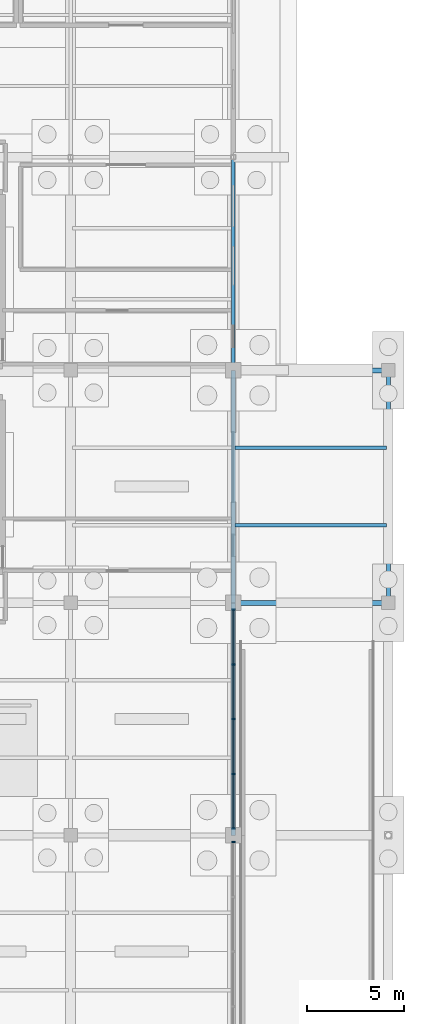
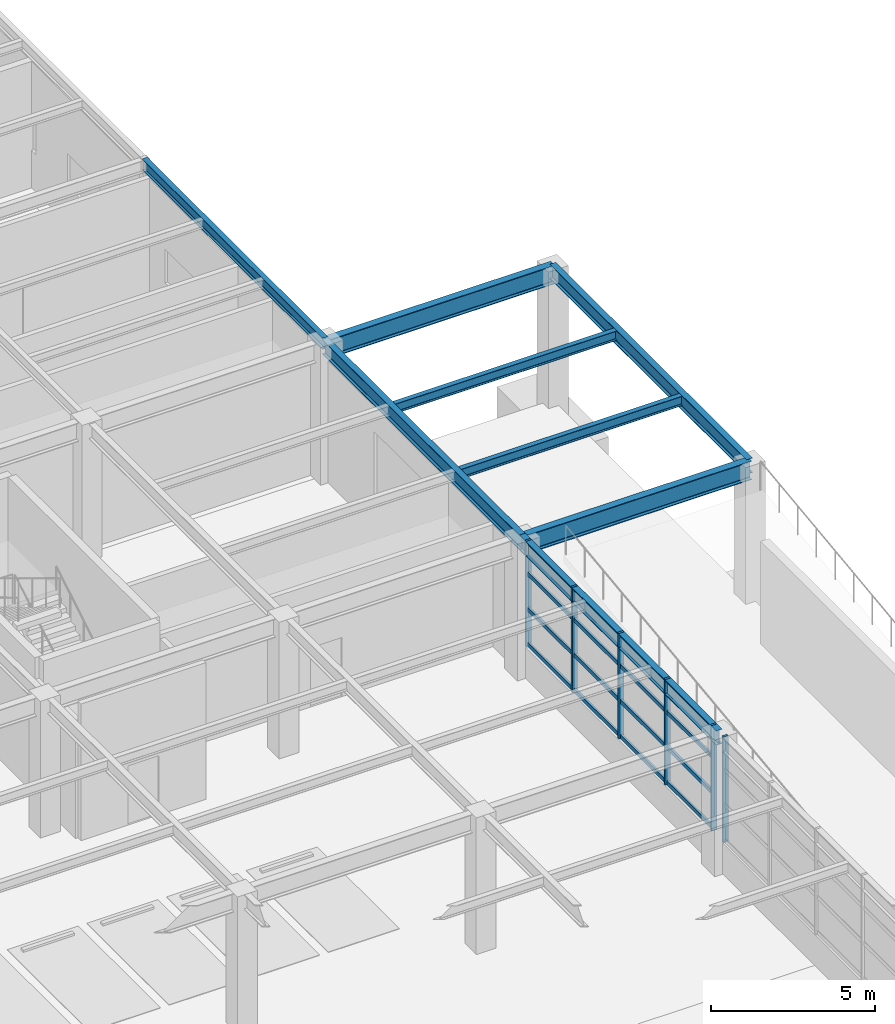
# One storey, part 69 of 129: 22 members, 8 beams, 2 elements without a shape of their own.
"""IFC4 building model written with IfcOpenShell, lengths in metres."""

import ifcopenshell
import ifcopenshell.guid

model = None  # the IFC model being written
_history = None  # IfcOwnerHistory: only IFC2X3 demands one
_inside = {}  # id of a spatial element -> (the spatial element, [elements in it])
_under = {}  # id of a project, library or spatial element -> (it, [spatial elements below it])
_declared = {}  # id of a project -> (the project, [libraries it declares])
_typed = {}  # id of a type object -> (the type object, [elements of that type])
_made_of = {}  # id of a material, layer set ... -> (it, [elements and type objects made of it])


def new_model(schema):
    """Start an empty IFC model of exactly this schema.

    Asked for "IFC4X3", IfcOpenShell would pick the latest addendum, in which some entities
    have other attributes; the version numbers below select the first issue.
    IFC2X3 requires an IfcOwnerHistory on every rooted entity: one is made here for all.
    """
    global model, _history
    if schema == "IFC4X3":
        model = ifcopenshell.file(schema_version=(4, 3, 0, 0))
    else:
        model = ifcopenshell.file(schema=schema)
    _inside.clear()
    _under.clear()
    _declared.clear()
    _typed.clear()
    _made_of.clear()
    _history = None
    if model.schema == "IFC2X3":
        org = make("IfcOrganization", Name="unknown")
        user = make(
            "IfcPersonAndOrganization",
            ThePerson=make("IfcPerson", FamilyName="unknown"),
            TheOrganization=org,
        )
        app = make(
            "IfcApplication",
            ApplicationDeveloper=org,
            Version="unknown",
            ApplicationFullName="unknown",
            ApplicationIdentifier="unknown",
        )
        _history = make(
            "IfcOwnerHistory",
            OwningUser=user,
            OwningApplication=app,
            ChangeAction="ADDED",
            CreationDate=0,
        )
    return model


def make(cls, **values):
    """One entity of the class cls with the attributes given. An attribute that is None is left unset."""
    return model.create_entity(
        cls, **{name: value for name, value in values.items() if value is not None}
    )


def rooted(cls, **values):
    """An entity with a GlobalId (a new one), such as an element, a storey or a relation."""
    return make(cls, GlobalId=ifcopenshell.guid.new(), OwnerHistory=_history, **values)


def si_unit(unit_type, name, prefix=None):
    """IfcSIUnit, for example si_unit("LENGTHUNIT", "METRE", prefix="MILLI")."""
    return make("IfcSIUnit", UnitType=unit_type, Prefix=prefix, Name=name)


def assignment(units):
    """IfcUnitAssignment: the units of a project."""
    return None if units is None else make("IfcUnitAssignment", Units=units)


def point(xyz):
    """IfcCartesianPoint."""
    return None if xyz is None else make("IfcCartesianPoint", Coordinates=xyz)


def direction(xyz):
    """IfcDirection."""
    return None if xyz is None else make("IfcDirection", DirectionRatios=xyz)


def frame(location, z_axis=None, x_axis=None):
    """IfcAxis2Placement3D, a coordinate frame: its origin and axes. An axis left out is left unset."""
    return make(
        "IfcAxis2Placement3D",
        Location=point(location),
        Axis=direction(z_axis),
        RefDirection=direction(x_axis),
    )


def frame_2d(location, x_axis=None):
    """IfcAxis2Placement2D, a coordinate frame in the plane: its origin and x axis."""
    return make(
        "IfcAxis2Placement2D", Location=point(location), RefDirection=direction(x_axis)
    )


def origin():
    """The frame at (0, 0, 0) with its axes left unset."""
    return frame((0.0, 0.0, 0.0))


def origin_2d():
    """The frame at (0, 0) in the plane with its x axis left unset."""
    return frame_2d((0.0, 0.0))


def place(relative_to, where):
    """IfcLocalPlacement: puts the frame where relative to a parent placement (None: the world)."""
    return make(
        "IfcLocalPlacement", PlacementRelTo=relative_to, RelativePlacement=where
    )


def context(
    kind, dimensions, precision=None, world=None, true_north=None, identifier=None
):
    """IfcGeometricRepresentationContext, for example the 3D "Model" context."""
    return make(
        "IfcGeometricRepresentationContext",
        ContextIdentifier=identifier,
        ContextType=kind,
        CoordinateSpaceDimension=dimensions,
        Precision=precision,
        WorldCoordinateSystem=world,
        TrueNorth=true_north,
    )


def subcontext(parent, identifier, kind, view, scale=None):
    """IfcGeometricRepresentationSubContext, for example "Body" below "Model"."""
    return make(
        "IfcGeometricRepresentationSubContext",
        ContextIdentifier=identifier,
        ContextType=kind,
        ParentContext=parent,
        TargetScale=scale,
        TargetView=view,
    )


def project(units=None, contexts=None):
    """IfcProject with its units and contexts."""
    return rooted(
        "IfcProject",
        Name="project",
        RepresentationContexts=contexts,
        UnitsInContext=assignment(units),
    )


def spatial(cls, under=None, at=None, **own):
    """A site, building, storey or space (cls), placed at a placement, below another one or the project."""
    s = rooted(cls, ObjectPlacement=at, **own)
    if under is not None:
        _under.setdefault(under.id(), (under, []))[1].append(s)
    return s


def profile(cls, at=None, kind="AREA", **sizes):
    """A parametric profile (cls). Its sizes go by their IFC names, for example OverallWidth=200.0."""
    return make(cls, ProfileType=kind, Position=at, **sizes)


def rectangle(**sizes):
    """IfcRectangleProfileDef."""
    return profile("IfcRectangleProfileDef", **sizes)


def i_section(**sizes):
    """IfcIShapeProfileDef."""
    return profile("IfcIShapeProfileDef", **sizes)


def extrude(swept, where, along, depth):
    """IfcExtrudedAreaSolid: the profile swept, set in the frame where, extruded along a direction by depth."""
    return make(
        "IfcExtrudedAreaSolid",
        SweptArea=swept,
        Position=where,
        ExtrudedDirection=direction(along),
        Depth=depth,
    )


def shape(context_of_items, identifier, shape_type, items):
    """IfcShapeRepresentation: the items that make up one representation, for example the "Body"."""
    return make(
        "IfcShapeRepresentation",
        ContextOfItems=context_of_items,
        RepresentationIdentifier=identifier,
        RepresentationType=shape_type,
        Items=items,
    )


def material(Name=None, Category=None):
    """IfcMaterial."""
    return make("IfcMaterial", Name=Name, Category=Category)


def layer(
    of_material, thickness, ventilated=None, Name=None, Category=None, Priority=None
):
    """IfcMaterialLayer: one layer of a wall or slab, of a material (None: an air gap)."""
    return make(
        "IfcMaterialLayer",
        Material=of_material,
        LayerThickness=thickness,
        IsVentilated=ventilated,
        Name=Name,
        Category=Category,
        Priority=Priority,
    )


def layer_set(layers, Name=None):
    """IfcMaterialLayerSet."""
    return make("IfcMaterialLayerSet", MaterialLayers=layers, LayerSetName=Name)


def material_profile(
    of_material, cross_section, Name=None, Category=None, Priority=None
):
    """IfcMaterialProfile: a cross section and its material."""
    return make(
        "IfcMaterialProfile",
        Name=Name,
        Material=of_material,
        Profile=cross_section,
        Priority=Priority,
        Category=Category,
    )


def profile_set(profiles, Name=None, composite=None):
    """IfcMaterialProfileSet."""
    return make(
        "IfcMaterialProfileSet",
        Name=Name,
        MaterialProfiles=profiles,
        CompositeProfile=composite,
    )


def made_of(thing, what):
    """Note that an element or type object is made of a material, layer set ...; save() writes the relation."""
    if what is not None:
        _made_of.setdefault(what.id(), (what, []))[1].append(thing)
    return thing


def type_object(cls, material=None, **own):
    """A type object (cls), such as IfcWallType, which elements share."""
    return made_of(rooted(cls, **own), material)


def element(
    cls,
    number,
    at=None,
    inside=None,
    cuts=None,
    type_object=None,
    material=None,
    context=None,
    identifier="Body",
    shape_type=None,
    held_by="IfcProductDefinitionShape",
    body=None,
    shapes=None,
    **own,
):
    """One element of the class cls, such as IfcWall. Its Tag is "e" and its number.

    at: its placement. inside: the storey or other place that contains it. cuts: it is an
    opening in that element (IfcRelVoidsElement). A single representation is given by context,
    identifier, shape_type and body (its items); several are given by shapes. held_by: the class
    of the entity that holds the representations. save() writes the other relations.
    """
    e = rooted(cls, Tag="e%d" % number, ObjectPlacement=at, **own)
    if body is not None:
        shapes = [shape(context, identifier, shape_type, body)]
    if shapes is not None:
        e.Representation = make(held_by, Representations=shapes)
    if inside is not None:
        _inside.setdefault(inside.id(), (inside, []))[1].append(e)
    if cuts is not None:
        rooted(
            "IfcRelVoidsElement", RelatingBuildingElement=cuts, RelatedOpeningElement=e
        )
    if type_object is not None:
        _typed.setdefault(type_object.id(), (type_object, []))[1].append(e)
    return made_of(e, material)


def aggregate(whole, parts):
    """IfcRelAggregates: a whole, such as a stair, and the parts it consists of."""
    return rooted("IfcRelAggregates", RelatingObject=whole, RelatedObjects=parts)


def save(model, path):
    """Write the relations noted so far, then the file.

    IfcRelAggregates (storeys below a building ...), IfcRelContainedInSpatialStructure (elements
    in a storey), IfcRelDefinesByType, IfcRelAssociatesMaterial and IfcRelDeclares: one each for
    every whole, place, type object, material and project.
    """
    for whole, parts in _under.values():
        aggregate(whole, parts)
    for where, things in _inside.values():
        rooted(
            "IfcRelContainedInSpatialStructure",
            RelatedElements=things,
            RelatingStructure=where,
        )
    for kind, things in _typed.values():
        rooted("IfcRelDefinesByType", RelatedObjects=things, RelatingType=kind)
    for what, things in _made_of.values():
        rooted("IfcRelAssociatesMaterial", RelatedObjects=things, RelatingMaterial=what)
    for by, libraries in _declared.values():
        rooted("IfcRelDeclares", RelatingContext=by, RelatedDefinitions=libraries)
    model.write(path)


model = new_model("IFC4")

# Units and contexts
model_context = context("Model", 3, precision=1e-05, world=origin(), true_north=direction((0.0, 1.0)))
body_context = subcontext(model_context, "Body", "Model", "MODEL_VIEW")
ifc_project = project(units=[si_unit("LENGTHUNIT", "METRE"), si_unit("AREAUNIT", "SQUARE_METRE"), si_unit("VOLUMEUNIT", "CUBIC_METRE"), si_unit("PLANEANGLEUNIT", "RADIAN"), si_unit("MASSUNIT", "GRAM", prefix="KILO")], contexts=[model_context])

# Site, building, storey
site_placement = place(None, origin())
site = spatial("IfcSite", under=ifc_project, at=site_placement, CompositionType="ELEMENT")
building_placement = place(site_placement, origin())
building = spatial("IfcBuilding", under=site, at=building_placement, Name="Sitalva Quay Ferry Terminal", CompositionType="ELEMENT")
storey_placement = place(building_placement, origin())
storey = spatial("IfcBuildingStorey", under=building, at=storey_placement, Name="L01", CompositionType="ELEMENT", Elevation=0.0)

# Beams
ifc_material_1 = material(Name="Structural Steel S355JR", Category="steel")
ifc_material_profile_1 = material_profile(ifc_material_1, i_section(OverallWidth=0.180908203125, OverallDepth=0.4169921875, WebThickness=0.010986328125, FlangeThickness=0.018310546875, FilletRadius=0.012939453125, at=origin_2d()), Name="W410x85")
ifc_profile_set_1 = profile_set([ifc_material_profile_1], Name="Structural Steel S355JR")
beam_type_1 = type_object("IfcBeamType", Name="Beam_W410x85", PredefinedType="BEAM", material=ifc_profile_set_1)
beam_placement = place(storey_placement, frame((168.0, 78.0, 4.91162109375), z_axis=(0.0, 1.0, 0.0), x_axis=(-1.0, 0.0, 0.0)))
element("IfcBeam", 1, at=beam_placement, inside=storey, type_object=beam_type_1, Name="L01 Primary Y girder 0557", PredefinedType="BEAM", context=body_context, shape_type="SweptSolid", body=[
    extrude(i_section(OverallWidth=0.180908203125, OverallDepth=0.4169921875, WebThickness=0.010986328125, FlangeThickness=0.018310546875, FilletRadius=0.012939453125, at=origin_2d()), origin(), (0.0, 0.0, 1.0), 11.0),
])
ifc_material_2 = material(Name="Structural Steel S355JR", Category="steel")
ifc_material_profile_2 = material_profile(ifc_material_2, i_section(OverallWidth=0.2119140625, OverallDepth=0.5439453125, WebThickness=0.01318359375, FlangeThickness=0.021240234375, FilletRadius=0.014892578125, at=origin_2d()), Name="W530x123")
ifc_profile_set_2 = profile_set([ifc_material_profile_2], Name="Structural Steel S355JR")
beam_type_2 = type_object("IfcBeamType", Name="Girder_W530x123", PredefinedType="USERDEFINED", material=ifc_profile_set_2)
for number, where, z_axis, x_axis, name in (
    (2, (168.0, 54.0, 4.80810546875), (0.0, 1.0, 0.0), (-1.0, 0.0, 0.0), "L01 Primary Y girder 0338"),
    (3, (168.0, 66.0, 4.80810546875), (0.0, 1.0, 0.0), (-1.0, 0.0, 0.0), "L01 Primary Y girder 0339"),
    (4, (176.0, 66.0, 4.80810546875), (0.0, 1.0, 0.0), (-1.0, 0.0, 0.0), "L01 Primary Y girder 0438"),
):
    element("IfcBeam", number, at=place(storey_placement, frame(where, z_axis=z_axis, x_axis=x_axis)), inside=storey, type_object=beam_type_2, Name=name, ObjectType="GIRDER", PredefinedType="USERDEFINED", context=body_context, shape_type="SweptSolid", body=[
        extrude(i_section(OverallWidth=0.2119140625, OverallDepth=0.5439453125, WebThickness=0.01318359375, FlangeThickness=0.021240234375, FilletRadius=0.014892578125, at=origin_2d()), origin(), (0.0, 0.0, 1.0), 12.0),
    ])
ifc_material_3 = material(Name="Structural Steel S355JR", Category="steel")
ifc_material_profile_3 = material_profile(ifc_material_3, i_section(OverallWidth=0.256103515625, OverallDepth=0.693115234375, WebThickness=0.014404296875, FlangeThickness=0.023681640625, FilletRadius=0.01806640625, at=origin_2d()), Name="W690x170")
ifc_profile_set_3 = profile_set([ifc_material_profile_3], Name="Structural Steel S355JR")
beam_type_3 = type_object("IfcBeamType", Name="Girder_W690x170", PredefinedType="USERDEFINED", material=ifc_profile_set_3)
for number, where, z_axis, x_axis, name in (
    (5, (168.0, 66.0, 4.7333984375), (1.0, 0.0, 0.0), (0.0, 1.0, 0.0), "L01 Primary X girder 0436"),
    (6, (168.0, 78.0, 4.7333984375), (1.0, 0.0, 0.0), (0.0, 1.0, 0.0), "L01 Primary X girder 0437"),
):
    element("IfcBeam", number, at=place(storey_placement, frame(where, z_axis=z_axis, x_axis=x_axis)), inside=storey, type_object=beam_type_3, Name=name, ObjectType="GIRDER", PredefinedType="USERDEFINED", context=body_context, shape_type="SweptSolid", body=[
        extrude(i_section(OverallWidth=0.256103515625, OverallDepth=0.693115234375, WebThickness=0.014404296875, FlangeThickness=0.023681640625, FilletRadius=0.01806640625, at=origin_2d()), origin(), (0.0, 0.0, 1.0), 8.0),
    ])
ifc_material_4 = material(Name="Structural Steel S355JR", Category="steel")
ifc_material_profile_4 = material_profile(ifc_material_4, i_section(OverallWidth=0.172119140625, OverallDepth=0.35791015625, WebThickness=0.0078125, FlangeThickness=0.01318359375, FilletRadius=0.011962890625, at=origin_2d()), Name="W360x57")
ifc_profile_set_4 = profile_set([ifc_material_profile_4], Name="Structural Steel S355JR")
beam_type_4 = type_object("IfcBeamType", Name="Joist_W360x57", PredefinedType="JOIST", material=ifc_profile_set_4)
for number, where, z_axis, x_axis, name in (
    (7, (168.10009765625, 70.0, 4.90087890625), (1.0, 0.0, 0.0), (0.0, 1.0, 0.0), "L01 Secondary joist 0439"),
    (8, (168.10009765625, 74.0, 4.90087890625), (1.0, 0.0, 0.0), (0.0, 1.0, 0.0), "L01 Secondary joist 0440"),
):
    element("IfcBeam", number, at=place(storey_placement, frame(where, z_axis=z_axis, x_axis=x_axis)), inside=storey, type_object=beam_type_4, Name=name, PredefinedType="JOIST", context=body_context, shape_type="SweptSolid", body=[
        extrude(i_section(OverallWidth=0.172119140625, OverallDepth=0.35791015625, WebThickness=0.0078125, FlangeThickness=0.01318359375, FilletRadius=0.011962890625, at=origin_2d()), origin(), (0.0, 0.0, 1.0), 7.7998046875),
    ])

# Curtain wall, member
ifc_material_5 = material(Name="Anodised Aluminium & Low-E Glazing", Category="aluminium")
ifc_layer = layer(ifc_material_5, 0.159912109375)
ifc_layer_set = layer_set([ifc_layer], Name="Anodised Aluminium & Low-E Glazing")
curtain_wall_type = type_object("IfcCurtainWallType", Name="CW_Coastal_Louvred", PredefinedType="USERDEFINED", material=ifc_layer_set)
curtain_wall_1_placement = place(storey_placement, origin())
curtain_wall_1 = element("IfcCurtainWall", 9, at=curtain_wall_1_placement, inside=storey, type_object=curtain_wall_type, Name="Ro-Ro east acoustic ventilation louvre screen (CW-L01-096)", ObjectType="CURTAIN_WALL", PredefinedType="USERDEFINED")
ifc_material_6 = material(Name="Anodised Aluminium 6063-T6", Category="aluminium")
ifc_material_profile_5 = material_profile(ifc_material_6, rectangle(XDim=0.080078125, YDim=0.18505859375, at=origin_2d()), Name="ALU80x185")
ifc_profile_set_5 = profile_set([ifc_material_profile_5], Name="Anodised Aluminium 6063-T6")
member_type_1 = type_object("IfcMemberType", Name="Mullion_Alu_80x185", PredefinedType="MULLION", material=ifc_profile_set_5)
member_1_placement = place(storey_placement, frame((168.0, 53.64990234375, 1.14990234375), z_axis=(0.0, 0.0, 1.0), x_axis=(0.0, 1.0, 0.0)))
member_1 = element("IfcMember", 10, at=member_1_placement, type_object=member_type_1, Name="CW-L01-096-M4", PredefinedType="MULLION", context=body_context, shape_type="SweptSolid", body=[
    extrude(rectangle(XDim=0.080078125, YDim=0.18505859375, at=origin_2d()), origin(), (0.0, 0.0, 1.0), 3.93017578125),
])
aggregate(curtain_wall_1, [member_1])

# Curtain wall, members
curtain_wall_2_placement = place(storey_placement, origin())
curtain_wall_2 = element("IfcCurtainWall", 11, at=curtain_wall_2_placement, inside=storey, type_object=curtain_wall_type, Name="Ro-Ro east acoustic ventilation louvre screen (CW-L01-098)", ObjectType="CURTAIN_WALL", PredefinedType="USERDEFINED")
member_2_placement = place(storey_placement, frame((168.0, 54.35009765625, 1.14990234375), z_axis=(0.0, 0.0, 1.0), x_axis=(0.0, 1.0, 0.0)))
member_2 = element("IfcMember", 12, at=member_2_placement, type_object=member_type_1, Name="CW-L01-098-M0", PredefinedType="MULLION", context=body_context, shape_type="SweptSolid", body=[
    extrude(rectangle(XDim=0.080078125, YDim=0.18505859375, at=origin_2d()), origin(), (0.0, 0.0, 1.0), 3.93017578125),
])
member_3_placement = place(storey_placement, frame((168.0, 57.175048828125, 1.14990234375), z_axis=(0.0, 0.0, 1.0), x_axis=(0.0, 1.0, 0.0)))
member_3 = element("IfcMember", 13, at=member_3_placement, type_object=member_type_1, Name="CW-L01-098-M1", PredefinedType="MULLION", context=body_context, shape_type="SweptSolid", body=[
    extrude(rectangle(XDim=0.080078125, YDim=0.18505859375, at=origin_2d()), origin(), (0.0, 0.0, 1.0), 3.93017578125),
])
member_4_placement = place(storey_placement, frame((168.0, 60.0, 1.14990234375), z_axis=(0.0, 0.0, 1.0), x_axis=(0.0, 1.0, 0.0)))
member_4 = element("IfcMember", 14, at=member_4_placement, type_object=member_type_1, Name="CW-L01-098-M2", PredefinedType="MULLION", context=body_context, shape_type="SweptSolid", body=[
    extrude(rectangle(XDim=0.080078125, YDim=0.18505859375, at=origin_2d()), origin(), (0.0, 0.0, 1.0), 3.93017578125),
])
member_5_placement = place(storey_placement, frame((168.0, 62.824951171875, 1.14990234375), z_axis=(0.0, 0.0, 1.0), x_axis=(0.0, 1.0, 0.0)))
member_5 = element("IfcMember", 15, at=member_5_placement, type_object=member_type_1, Name="CW-L01-098-M3", PredefinedType="MULLION", context=body_context, shape_type="SweptSolid", body=[
    extrude(rectangle(XDim=0.080078125, YDim=0.18505859375, at=origin_2d()), origin(), (0.0, 0.0, 1.0), 3.93017578125),
])
member_6_placement = place(storey_placement, frame((168.0, 65.64990234375, 1.14990234375), z_axis=(0.0, 0.0, 1.0), x_axis=(0.0, 1.0, 0.0)))
member_6 = element("IfcMember", 16, at=member_6_placement, type_object=member_type_1, Name="CW-L01-098-M4", PredefinedType="MULLION", context=body_context, shape_type="SweptSolid", body=[
    extrude(rectangle(XDim=0.080078125, YDim=0.18505859375, at=origin_2d()), origin(), (0.0, 0.0, 1.0), 3.93017578125),
])
ifc_material_7 = material(Name="Anodised Aluminium 6063-T6", Category="aluminium")
ifc_material_profile_6 = material_profile(ifc_material_7, rectangle(XDim=0.074951171875, YDim=0.14990234375, at=origin_2d()), Name="ALU75x150")
ifc_profile_set_6 = profile_set([ifc_material_profile_6], Name="Anodised Aluminium 6063-T6")
member_type_2 = type_object("IfcMemberType", Name="Transom_Alu_75x140", PredefinedType="MULLION", material=ifc_profile_set_6)
member_7_placement = place(storey_placement, frame((168.0, 54.389892578125, 1.22509765625), z_axis=(0.0, 1.0, 0.0), x_axis=(-1.0, 0.0, 0.0)))
member_7 = element("IfcMember", 17, at=member_7_placement, type_object=member_type_2, Name="CW-L01-098-T0-0", ObjectType="TRANSOM", PredefinedType="USERDEFINED", context=body_context, shape_type="SweptSolid", body=[
    extrude(rectangle(XDim=0.074951171875, YDim=0.14990234375, at=origin_2d()), origin(), (0.0, 0.0, 1.0), 2.7451171875),
])
member_8_placement = place(storey_placement, frame((168.0, 54.389892578125, 2.534912109375), z_axis=(0.0, 1.0, 0.0), x_axis=(-1.0, 0.0, 0.0)))
member_8 = element("IfcMember", 18, at=member_8_placement, type_object=member_type_2, Name="CW-L01-098-T0-1", ObjectType="TRANSOM", PredefinedType="USERDEFINED", context=body_context, shape_type="SweptSolid", body=[
    extrude(rectangle(XDim=0.074951171875, YDim=0.14990234375, at=origin_2d()), origin(), (0.0, 0.0, 1.0), 2.7451171875),
])
member_9_placement = place(storey_placement, frame((168.0, 54.389892578125, 3.844970703125), z_axis=(0.0, 1.0, 0.0), x_axis=(-1.0, 0.0, 0.0)))
member_9 = element("IfcMember", 19, at=member_9_placement, type_object=member_type_2, Name="CW-L01-098-T0-2", ObjectType="TRANSOM", PredefinedType="USERDEFINED", context=body_context, shape_type="SweptSolid", body=[
    extrude(rectangle(XDim=0.074951171875, YDim=0.14990234375, at=origin_2d()), origin(), (0.0, 0.0, 1.0), 2.7451171875),
])
member_10_placement = place(storey_placement, frame((168.0, 54.389892578125, 5.0048828125), z_axis=(0.0, 1.0, 0.0), x_axis=(-1.0, 0.0, 0.0)))
member_10 = element("IfcMember", 20, at=member_10_placement, type_object=member_type_2, Name="CW-L01-098-T0-3", ObjectType="TRANSOM", PredefinedType="USERDEFINED", context=body_context, shape_type="SweptSolid", body=[
    extrude(rectangle(XDim=0.074951171875, YDim=0.14990234375, at=origin_2d()), origin(), (0.0, 0.0, 1.0), 2.7451171875),
])
member_11_placement = place(storey_placement, frame((168.0, 57.215087890625, 1.22509765625), z_axis=(0.0, 1.0, 0.0), x_axis=(-1.0, 0.0, 0.0)))
member_11 = element("IfcMember", 21, at=member_11_placement, type_object=member_type_2, Name="CW-L01-098-T1-0", ObjectType="TRANSOM", PredefinedType="USERDEFINED", context=body_context, shape_type="SweptSolid", body=[
    extrude(rectangle(XDim=0.074951171875, YDim=0.14990234375, at=origin_2d()), origin(), (0.0, 0.0, 1.0), 2.744873046875),
])
member_12_placement = place(storey_placement, frame((168.0, 57.215087890625, 2.534912109375), z_axis=(0.0, 1.0, 0.0), x_axis=(-1.0, 0.0, 0.0)))
member_12 = element("IfcMember", 22, at=member_12_placement, type_object=member_type_2, Name="CW-L01-098-T1-1", ObjectType="TRANSOM", PredefinedType="USERDEFINED", context=body_context, shape_type="SweptSolid", body=[
    extrude(rectangle(XDim=0.074951171875, YDim=0.14990234375, at=origin_2d()), origin(), (0.0, 0.0, 1.0), 2.744873046875),
])
member_13_placement = place(storey_placement, frame((168.0, 57.215087890625, 3.844970703125), z_axis=(0.0, 1.0, 0.0), x_axis=(-1.0, 0.0, 0.0)))
member_13 = element("IfcMember", 23, at=member_13_placement, type_object=member_type_2, Name="CW-L01-098-T1-2", ObjectType="TRANSOM", PredefinedType="USERDEFINED", context=body_context, shape_type="SweptSolid", body=[
    extrude(rectangle(XDim=0.074951171875, YDim=0.14990234375, at=origin_2d()), origin(), (0.0, 0.0, 1.0), 2.744873046875),
])
member_14_placement = place(storey_placement, frame((168.0, 57.215087890625, 5.0048828125), z_axis=(0.0, 1.0, 0.0), x_axis=(-1.0, 0.0, 0.0)))
member_14 = element("IfcMember", 24, at=member_14_placement, type_object=member_type_2, Name="CW-L01-098-T1-3", ObjectType="TRANSOM", PredefinedType="USERDEFINED", context=body_context, shape_type="SweptSolid", body=[
    extrude(rectangle(XDim=0.074951171875, YDim=0.14990234375, at=origin_2d()), origin(), (0.0, 0.0, 1.0), 2.744873046875),
])
member_15_placement = place(storey_placement, frame((168.0, 60.0400390625, 1.22509765625), z_axis=(0.0, 1.0, 0.0), x_axis=(-1.0, 0.0, 0.0)))
member_15 = element("IfcMember", 25, at=member_15_placement, type_object=member_type_2, Name="CW-L01-098-T2-0", ObjectType="TRANSOM", PredefinedType="USERDEFINED", context=body_context, shape_type="SweptSolid", body=[
    extrude(rectangle(XDim=0.074951171875, YDim=0.14990234375, at=origin_2d()), origin(), (0.0, 0.0, 1.0), 2.744873046875),
])
member_16_placement = place(storey_placement, frame((168.0, 60.0400390625, 2.534912109375), z_axis=(0.0, 1.0, 0.0), x_axis=(-1.0, 0.0, 0.0)))
member_16 = element("IfcMember", 26, at=member_16_placement, type_object=member_type_2, Name="CW-L01-098-T2-1", ObjectType="TRANSOM", PredefinedType="USERDEFINED", context=body_context, shape_type="SweptSolid", body=[
    extrude(rectangle(XDim=0.074951171875, YDim=0.14990234375, at=origin_2d()), origin(), (0.0, 0.0, 1.0), 2.744873046875),
])
member_17_placement = place(storey_placement, frame((168.0, 60.0400390625, 3.844970703125), z_axis=(0.0, 1.0, 0.0), x_axis=(-1.0, 0.0, 0.0)))
member_17 = element("IfcMember", 27, at=member_17_placement, type_object=member_type_2, Name="CW-L01-098-T2-2", ObjectType="TRANSOM", PredefinedType="USERDEFINED", context=body_context, shape_type="SweptSolid", body=[
    extrude(rectangle(XDim=0.074951171875, YDim=0.14990234375, at=origin_2d()), origin(), (0.0, 0.0, 1.0), 2.744873046875),
])
member_18_placement = place(storey_placement, frame((168.0, 60.0400390625, 5.0048828125), z_axis=(0.0, 1.0, 0.0), x_axis=(-1.0, 0.0, 0.0)))
member_18 = element("IfcMember", 28, at=member_18_placement, type_object=member_type_2, Name="CW-L01-098-T2-3", ObjectType="TRANSOM", PredefinedType="USERDEFINED", context=body_context, shape_type="SweptSolid", body=[
    extrude(rectangle(XDim=0.074951171875, YDim=0.14990234375, at=origin_2d()), origin(), (0.0, 0.0, 1.0), 2.744873046875),
])
member_19_placement = place(storey_placement, frame((168.0, 62.864990234375, 1.22509765625), z_axis=(0.0, 1.0, 0.0), x_axis=(-1.0, 0.0, 0.0)))
member_19 = element("IfcMember", 29, at=member_19_placement, type_object=member_type_2, Name="CW-L01-098-T3-0", ObjectType="TRANSOM", PredefinedType="USERDEFINED", context=body_context, shape_type="SweptSolid", body=[
    extrude(rectangle(XDim=0.074951171875, YDim=0.14990234375, at=origin_2d()), origin(), (0.0, 0.0, 1.0), 2.7451171875),
])
member_20_placement = place(storey_placement, frame((168.0, 62.864990234375, 2.534912109375), z_axis=(0.0, 1.0, 0.0), x_axis=(-1.0, 0.0, 0.0)))
member_20 = element("IfcMember", 30, at=member_20_placement, type_object=member_type_2, Name="CW-L01-098-T3-1", ObjectType="TRANSOM", PredefinedType="USERDEFINED", context=body_context, shape_type="SweptSolid", body=[
    extrude(rectangle(XDim=0.074951171875, YDim=0.14990234375, at=origin_2d()), origin(), (0.0, 0.0, 1.0), 2.7451171875),
])
member_21_placement = place(storey_placement, frame((168.0, 62.864990234375, 3.844970703125), z_axis=(0.0, 1.0, 0.0), x_axis=(-1.0, 0.0, 0.0)))
member_21 = element("IfcMember", 31, at=member_21_placement, type_object=member_type_2, Name="CW-L01-098-T3-2", ObjectType="TRANSOM", PredefinedType="USERDEFINED", context=body_context, shape_type="SweptSolid", body=[
    extrude(rectangle(XDim=0.074951171875, YDim=0.14990234375, at=origin_2d()), origin(), (0.0, 0.0, 1.0), 2.7451171875),
])
member_22_placement = place(storey_placement, frame((168.0, 62.864990234375, 5.0048828125), z_axis=(0.0, 1.0, 0.0), x_axis=(-1.0, 0.0, 0.0)))
member_22 = element("IfcMember", 32, at=member_22_placement, type_object=member_type_2, Name="CW-L01-098-T3-3", ObjectType="TRANSOM", PredefinedType="USERDEFINED", context=body_context, shape_type="SweptSolid", body=[
    extrude(rectangle(XDim=0.074951171875, YDim=0.14990234375, at=origin_2d()), origin(), (0.0, 0.0, 1.0), 2.7451171875),
])
aggregate(curtain_wall_2, [member_2, member_3, member_4, member_5, member_6, member_7, member_8, member_9, member_10, member_11, member_12, member_13, member_14, member_15, member_16, member_17, member_18, member_19, member_20, member_21, member_22])

save(model, "model.ifc")
